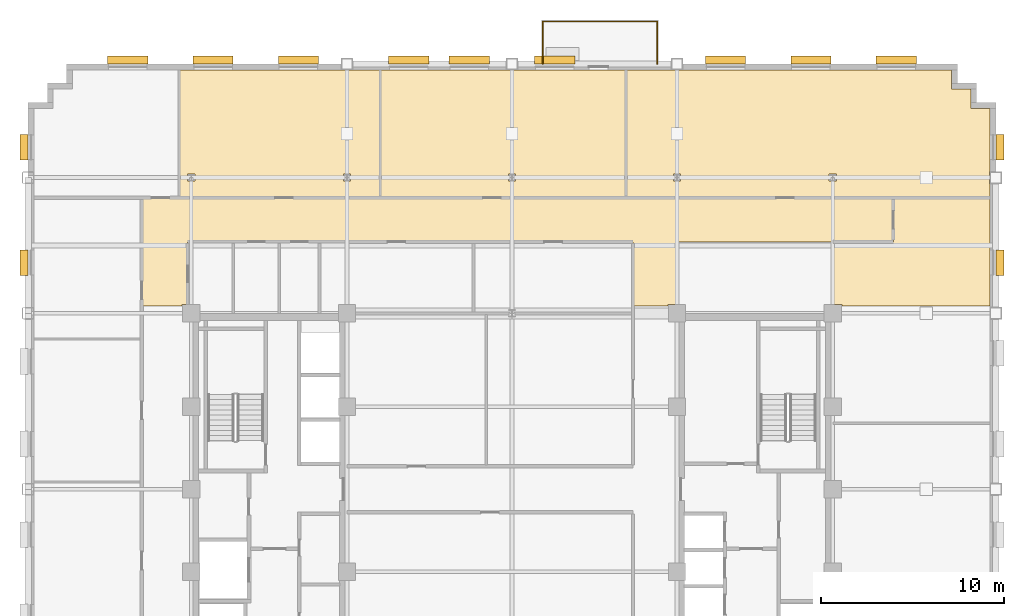
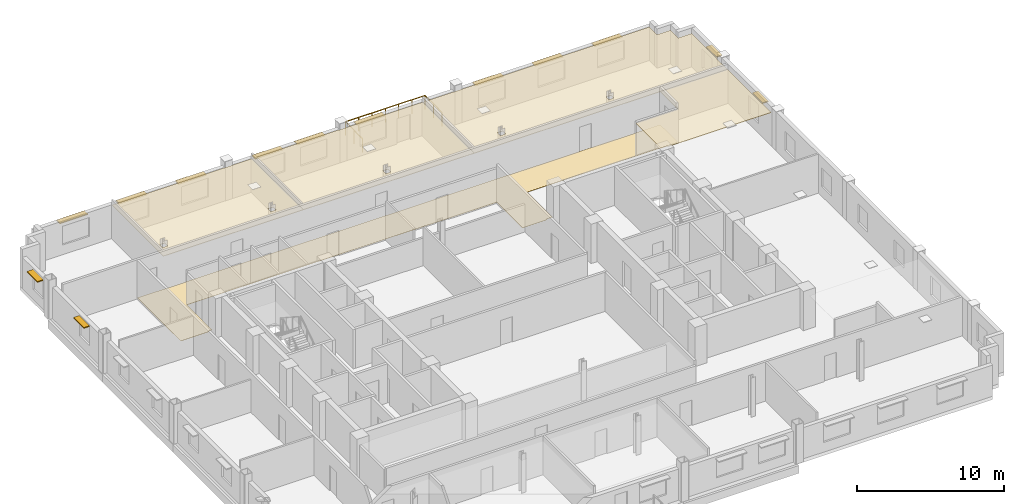
# One storey, part 14 of 14: 13 shading devices, 5 coverings, 1 railing.
"""IFC4 building model written with IfcOpenShell, lengths in metres."""

import ifcopenshell
import ifcopenshell.guid

model = None  # the IFC model being written
_history = None  # IfcOwnerHistory: only IFC2X3 demands one
_inside = {}  # id of a spatial element -> (the spatial element, [elements in it])
_under = {}  # id of a project, library or spatial element -> (it, [spatial elements below it])
_declared = {}  # id of a project -> (the project, [libraries it declares])
_typed = {}  # id of a type object -> (the type object, [elements of that type])
_made_of = {}  # id of a material, layer set ... -> (it, [elements and type objects made of it])


def new_model(schema):
    """Start an empty IFC model of exactly this schema.

    Asked for "IFC4X3", IfcOpenShell would pick the latest addendum, in which some entities
    have other attributes; the version numbers below select the first issue.
    IFC2X3 requires an IfcOwnerHistory on every rooted entity: one is made here for all.
    """
    global model, _history
    if schema == "IFC4X3":
        model = ifcopenshell.file(schema_version=(4, 3, 0, 0))
    else:
        model = ifcopenshell.file(schema=schema)
    _inside.clear()
    _under.clear()
    _declared.clear()
    _typed.clear()
    _made_of.clear()
    _history = None
    if model.schema == "IFC2X3":
        org = make("IfcOrganization", Name="unknown")
        user = make(
            "IfcPersonAndOrganization",
            ThePerson=make("IfcPerson", FamilyName="unknown"),
            TheOrganization=org,
        )
        app = make(
            "IfcApplication",
            ApplicationDeveloper=org,
            Version="unknown",
            ApplicationFullName="unknown",
            ApplicationIdentifier="unknown",
        )
        _history = make(
            "IfcOwnerHistory",
            OwningUser=user,
            OwningApplication=app,
            ChangeAction="ADDED",
            CreationDate=0,
        )
    return model


def make(cls, **values):
    """One entity of the class cls with the attributes given. An attribute that is None is left unset."""
    return model.create_entity(
        cls, **{name: value for name, value in values.items() if value is not None}
    )


def rooted(cls, **values):
    """An entity with a GlobalId (a new one), such as an element, a storey or a relation."""
    return make(cls, GlobalId=ifcopenshell.guid.new(), OwnerHistory=_history, **values)


def si_unit(unit_type, name, prefix=None):
    """IfcSIUnit, for example si_unit("LENGTHUNIT", "METRE", prefix="MILLI")."""
    return make("IfcSIUnit", UnitType=unit_type, Prefix=prefix, Name=name)


def assignment(units):
    """IfcUnitAssignment: the units of a project."""
    return None if units is None else make("IfcUnitAssignment", Units=units)


def point(xyz):
    """IfcCartesianPoint."""
    return None if xyz is None else make("IfcCartesianPoint", Coordinates=xyz)


def direction(xyz):
    """IfcDirection."""
    return None if xyz is None else make("IfcDirection", DirectionRatios=xyz)


def frame(location, z_axis=None, x_axis=None):
    """IfcAxis2Placement3D, a coordinate frame: its origin and axes. An axis left out is left unset."""
    return make(
        "IfcAxis2Placement3D",
        Location=point(location),
        Axis=direction(z_axis),
        RefDirection=direction(x_axis),
    )


def frame_2d(location, x_axis=None):
    """IfcAxis2Placement2D, a coordinate frame in the plane: its origin and x axis."""
    return make(
        "IfcAxis2Placement2D", Location=point(location), RefDirection=direction(x_axis)
    )


def origin():
    """The frame at (0, 0, 0) with its axes left unset."""
    return frame((0.0, 0.0, 0.0))


def origin_2d():
    """The frame at (0, 0) in the plane with its x axis left unset."""
    return frame_2d((0.0, 0.0))


def place(relative_to, where):
    """IfcLocalPlacement: puts the frame where relative to a parent placement (None: the world)."""
    return make(
        "IfcLocalPlacement", PlacementRelTo=relative_to, RelativePlacement=where
    )


def context(
    kind, dimensions, precision=None, world=None, true_north=None, identifier=None
):
    """IfcGeometricRepresentationContext, for example the 3D "Model" context."""
    return make(
        "IfcGeometricRepresentationContext",
        ContextIdentifier=identifier,
        ContextType=kind,
        CoordinateSpaceDimension=dimensions,
        Precision=precision,
        WorldCoordinateSystem=world,
        TrueNorth=true_north,
    )


def subcontext(parent, identifier, kind, view, scale=None):
    """IfcGeometricRepresentationSubContext, for example "Body" below "Model"."""
    return make(
        "IfcGeometricRepresentationSubContext",
        ContextIdentifier=identifier,
        ContextType=kind,
        ParentContext=parent,
        TargetScale=scale,
        TargetView=view,
    )


def project(units=None, contexts=None):
    """IfcProject with its units and contexts."""
    return rooted(
        "IfcProject",
        Name="project",
        RepresentationContexts=contexts,
        UnitsInContext=assignment(units),
    )


def spatial(cls, under=None, at=None, **own):
    """A site, building, storey or space (cls), placed at a placement, below another one or the project."""
    s = rooted(cls, ObjectPlacement=at, **own)
    if under is not None:
        _under.setdefault(under.id(), (under, []))[1].append(s)
    return s


def polyline(points):
    """IfcPolyline through the points."""
    return make("IfcPolyline", Points=[point(p) for p in points])


def profile(cls, at=None, kind="AREA", **sizes):
    """A parametric profile (cls). Its sizes go by their IFC names, for example OverallWidth=200.0."""
    return make(cls, ProfileType=kind, Position=at, **sizes)


def rectangle(**sizes):
    """IfcRectangleProfileDef."""
    return profile("IfcRectangleProfileDef", **sizes)


def circle(**sizes):
    """IfcCircleProfileDef."""
    return profile("IfcCircleProfileDef", **sizes)


def outline(outer, holes=None, kind="AREA"):
    """IfcArbitraryClosedProfileDef: a profile drawn as a closed curve; with holes, ...WithVoids."""
    if holes is None:
        return make("IfcArbitraryClosedProfileDef", ProfileType=kind, OuterCurve=outer)
    return make(
        "IfcArbitraryProfileDefWithVoids",
        ProfileType=kind,
        OuterCurve=outer,
        InnerCurves=holes,
    )


def extrude(swept, where, along, depth):
    """IfcExtrudedAreaSolid: the profile swept, set in the frame where, extruded along a direction by depth."""
    return make(
        "IfcExtrudedAreaSolid",
        SweptArea=swept,
        Position=where,
        ExtrudedDirection=direction(along),
        Depth=depth,
    )


def shape(context_of_items, identifier, shape_type, items):
    """IfcShapeRepresentation: the items that make up one representation, for example the "Body"."""
    return make(
        "IfcShapeRepresentation",
        ContextOfItems=context_of_items,
        RepresentationIdentifier=identifier,
        RepresentationType=shape_type,
        Items=items,
    )


def source(mapping_origin, context_of_items, identifier, shape_type, items):
    """IfcRepresentationMap: a shape defined once, which mapped items show again and again."""
    return make(
        "IfcRepresentationMap",
        MappingOrigin=mapping_origin,
        MappedRepresentation=shape(context_of_items, identifier, shape_type, items),
    )


def transform(
    local_origin,
    x_axis=None,
    y_axis=None,
    z_axis=None,
    scale=None,
    scale2=None,
    scale3=None,
    uniform=True,
):
    """IfcCartesianTransformationOperator3D, or its non-uniform kind. x_axis, y_axis, z_axis: its Axis1, 2, 3."""
    if uniform:
        return make(
            "IfcCartesianTransformationOperator3D",
            Axis1=direction(x_axis),
            Axis2=direction(y_axis),
            LocalOrigin=point(local_origin),
            Scale=scale,
            Axis3=direction(z_axis),
        )
    return make(
        "IfcCartesianTransformationOperator3DnonUniform",
        Axis1=direction(x_axis),
        Axis2=direction(y_axis),
        LocalOrigin=point(local_origin),
        Scale=scale,
        Axis3=direction(z_axis),
        Scale2=scale2,
        Scale3=scale3,
    )


def mapped(mapping_source, mapping_target):
    """IfcMappedItem: shows the shape of a source again, moved by a transform."""
    return make(
        "IfcMappedItem", MappingSource=mapping_source, MappingTarget=mapping_target
    )


def material(Name=None, Category=None):
    """IfcMaterial."""
    return make("IfcMaterial", Name=Name, Category=Category)


def layer(
    of_material, thickness, ventilated=None, Name=None, Category=None, Priority=None
):
    """IfcMaterialLayer: one layer of a wall or slab, of a material (None: an air gap)."""
    return make(
        "IfcMaterialLayer",
        Material=of_material,
        LayerThickness=thickness,
        IsVentilated=ventilated,
        Name=Name,
        Category=Category,
        Priority=Priority,
    )


def layer_set(layers, Name=None):
    """IfcMaterialLayerSet."""
    return make("IfcMaterialLayerSet", MaterialLayers=layers, LayerSetName=Name)


def made_of(thing, what):
    """Note that an element or type object is made of a material, layer set ...; save() writes the relation."""
    if what is not None:
        _made_of.setdefault(what.id(), (what, []))[1].append(thing)
    return thing


def type_object(cls, material=None, **own):
    """A type object (cls), such as IfcWallType, which elements share."""
    return made_of(rooted(cls, **own), material)


def type_shapes(of_type, sources):
    """Give a type object the sources (RepresentationMaps) that its elements show as mapped items."""
    of_type.RepresentationMaps = sources


def element(
    cls,
    number,
    at=None,
    inside=None,
    cuts=None,
    type_object=None,
    material=None,
    context=None,
    identifier="Body",
    shape_type=None,
    held_by="IfcProductDefinitionShape",
    body=None,
    shapes=None,
    **own,
):
    """One element of the class cls, such as IfcWall. Its Tag is "e" and its number.

    at: its placement. inside: the storey or other place that contains it. cuts: it is an
    opening in that element (IfcRelVoidsElement). A single representation is given by context,
    identifier, shape_type and body (its items); several are given by shapes. held_by: the class
    of the entity that holds the representations. save() writes the other relations.
    """
    e = rooted(cls, Tag="e%d" % number, ObjectPlacement=at, **own)
    if body is not None:
        shapes = [shape(context, identifier, shape_type, body)]
    if shapes is not None:
        e.Representation = make(held_by, Representations=shapes)
    if inside is not None:
        _inside.setdefault(inside.id(), (inside, []))[1].append(e)
    if cuts is not None:
        rooted(
            "IfcRelVoidsElement", RelatingBuildingElement=cuts, RelatedOpeningElement=e
        )
    if type_object is not None:
        _typed.setdefault(type_object.id(), (type_object, []))[1].append(e)
    return made_of(e, material)


def aggregate(whole, parts):
    """IfcRelAggregates: a whole, such as a stair, and the parts it consists of."""
    return rooted("IfcRelAggregates", RelatingObject=whole, RelatedObjects=parts)


def save(model, path):
    """Write the relations noted so far, then the file.

    IfcRelAggregates (storeys below a building ...), IfcRelContainedInSpatialStructure (elements
    in a storey), IfcRelDefinesByType, IfcRelAssociatesMaterial and IfcRelDeclares: one each for
    every whole, place, type object, material and project.
    """
    for whole, parts in _under.values():
        aggregate(whole, parts)
    for where, things in _inside.values():
        rooted(
            "IfcRelContainedInSpatialStructure",
            RelatedElements=things,
            RelatingStructure=where,
        )
    for kind, things in _typed.values():
        rooted("IfcRelDefinesByType", RelatedObjects=things, RelatingType=kind)
    for what, things in _made_of.values():
        rooted("IfcRelAssociatesMaterial", RelatedObjects=things, RelatingMaterial=what)
    for by, libraries in _declared.values():
        rooted("IfcRelDeclares", RelatingContext=by, RelatedDefinitions=libraries)
    model.write(path)


model = new_model("IFC4")

# Units and contexts
model_context = context("Model", 3, precision=1e-05, world=origin(), true_north=direction((0.0, 1.0)))
body_context = subcontext(model_context, "Body", "Model", "MODEL_VIEW")
ifc_project = project(units=[si_unit("LENGTHUNIT", "METRE"), si_unit("AREAUNIT", "SQUARE_METRE"), si_unit("VOLUMEUNIT", "CUBIC_METRE"), si_unit("PLANEANGLEUNIT", "RADIAN"), si_unit("MASSUNIT", "GRAM", prefix="KILO")], contexts=[model_context])

# Site, building, storey
site_placement = place(None, origin())
site = spatial("IfcSite", under=ifc_project, at=site_placement, CompositionType="ELEMENT")
building_placement = place(site_placement, origin())
building = spatial("IfcBuilding", under=site, at=building_placement, Name="Nuvemarco Arch Tower", CompositionType="ELEMENT")
storey_placement = place(building_placement, frame((0.0, 0.0, 164.0)))
storey = spatial("IfcBuildingStorey", under=building, at=storey_placement, Name="L43", CompositionType="ELEMENT", Elevation=164.0)

# Coverings
ifc_material_1 = material(Name="Mineral acoustic ceiling tile")
ifc_layer_1 = layer(ifc_material_1, 0.0400390625, Name="COV-ACOUSTIC-CLG")
ifc_layer_set_1 = layer_set([ifc_layer_1], Name="Mineral acoustic ceiling tile")
covering_type_1 = type_object("IfcCoveringType", Name="COV-ACOUSTIC-CLG", PredefinedType="CEILING", material=ifc_layer_set_1)
covering_1_placement = place(storey_placement, frame((0.0, 0.0, 2.72998046875)))
element("IfcCovering", 1, at=covering_1_placement, inside=storey, type_object=covering_type_1, Name="L43 suspended acoustic ceiling 2", PredefinedType="CEILING", context=body_context, shape_type="SweptSolid", body=[
    extrude(outline(polyline([(26.080078125, 20.780029296875), (26.080078125, 17.340087890625), (26.06005859375, 17.340087890625), (26.06005859375, 16.659912109375), (26.080078125, 16.659912109375), (26.080078125, 15.89990234375), (20.800048828125, 15.89990234375), (9.0, 15.89990234375), (6.60009765625, 15.89990234375), (6.22998046875, 15.89990234375), (6.22998046875, 22.8798828125), (8.659912109375, 22.8798828125), (8.659912109375, 22.860107421875), (9.340087890625, 22.860107421875), (9.340087890625, 22.8798828125), (23.97998046875, 22.8798828125), (23.97998046875, 21.830078125), (25.030029296875, 21.830078125), (25.030029296875, 20.780029296875), (26.080078125, 20.780029296875)]), holes=[polyline([(9.195068359375, 17.195068359375), (8.804931640625, 17.195068359375), (8.804931640625, 16.804931640625), (9.195068359375, 16.804931640625), (9.195068359375, 17.195068359375)]), polyline([(17.695068359375, 16.804931640625), (17.695068359375, 17.195068359375), (17.304931640625, 17.195068359375), (17.304931640625, 16.804931640625), (17.695068359375, 16.804931640625)])]), origin(), (0.0, 0.0, 1.0), 0.0400390625),
])
covering_2_placement = place(storey_placement, frame((0.0, 0.0, 2.72998046875)))
element("IfcCovering", 2, at=covering_2_placement, inside=storey, type_object=covering_type_1, Name="L43 suspended acoustic ceiling 3", PredefinedType="CEILING", context=body_context, shape_type="SweptSolid", body=[
    extrude(outline(polyline([(17.989990234375, 10.090087890625), (17.5, 10.090087890625), (17.5, 13.5), (20.800048828125, 13.5), (20.800048828125, 15.89990234375), (26.080078125, 15.89990234375), (26.080078125, 10.0), (17.989990234375, 10.0), (17.989990234375, 10.090087890625)])), origin(), (0.0, 0.0, 1.0), 0.0400390625),
])
covering_3_placement = place(storey_placement, frame((0.0, 0.0, 2.72998046875)))
element("IfcCovering", 3, at=covering_3_placement, inside=storey, type_object=covering_type_1, Name="L43 suspended acoustic ceiling 5", PredefinedType="CEILING", context=body_context, shape_type="SweptSolid", body=[
    extrude(outline(polyline([(6.22998046875, 15.89990234375), (-7.179931640625, 15.89990234375), (-7.179931640625, 22.8798828125), (-0.340087890625, 22.8798828125), (-0.340087890625, 22.860107421875), (0.340087890625, 22.860107421875), (0.340087890625, 22.8798828125), (6.22998046875, 22.8798828125), (6.22998046875, 15.89990234375)]), holes=[polyline([(0.195068359375, 16.804931640625), (0.195068359375, 17.195068359375), (-0.195068359375, 17.195068359375), (-0.195068359375, 16.804931640625), (0.195068359375, 16.804931640625)])]), origin(), (0.0, 0.0, 1.0), 0.0400390625),
])
covering_4_placement = place(storey_placement, frame((0.0, 0.0, 2.72998046875)))
element("IfcCovering", 4, at=covering_4_placement, inside=storey, type_object=covering_type_1, Name="L43 suspended acoustic ceiling 6", PredefinedType="CEILING", context=body_context, shape_type="SweptSolid", body=[
    extrude(outline(polyline([(-9.340087890625, 22.860107421875), (-8.659912109375, 22.860107421875), (-8.659912109375, 22.8798828125), (-7.179931640625, 22.8798828125), (-7.179931640625, 15.89990234375), (-17.699951171875, 15.89990234375), (-18.14990234375, 15.89990234375), (-18.14990234375, 22.8798828125), (-9.340087890625, 22.8798828125), (-9.340087890625, 22.860107421875)]), holes=[polyline([(-17.304931640625, 16.804931640625), (-17.304931640625, 17.195068359375), (-17.695068359375, 17.195068359375), (-17.695068359375, 16.804931640625), (-17.304931640625, 16.804931640625)]), polyline([(-8.804931640625, 16.804931640625), (-8.804931640625, 17.195068359375), (-9.195068359375, 17.195068359375), (-9.195068359375, 16.804931640625), (-8.804931640625, 16.804931640625)])]), origin(), (0.0, 0.0, 1.0), 0.0400390625),
])
ifc_material_2 = material(Name="Polished granite terrazzostone flooring", Category="masonry")
ifc_layer_2 = layer(ifc_material_2, 0.02001953125, Name="COV-LOBBY-FLR")
ifc_layer_set_2 = layer_set([ifc_layer_2], Name="Polished granite terrazzostone flooring")
covering_type_2 = type_object("IfcCoveringType", Name="COV-LOBBY-FLR", PredefinedType="FLOORING", material=ifc_layer_set_2)
covering_5_placement = place(storey_placement, origin())
element("IfcCovering", 5, at=covering_5_placement, inside=storey, type_object=covering_type_2, Name="L43 polished terrazzo lobby flooring", PredefinedType="FLOORING", context=body_context, shape_type="SweptSolid", body=[
    extrude(outline(polyline([(-20.199951171875, 13.5), (-20.199951171875, 15.89990234375), (-17.699951171875, 15.89990234375), (6.60009765625, 15.89990234375), (9.0, 15.89990234375), (20.800048828125, 15.89990234375), (20.800048828125, 13.5), (9.0, 13.5), (9.0, 10.090087890625), (8.510009765625, 10.090087890625), (8.510009765625, 10.0), (6.60009765625, 10.0), (6.60009765625, 13.5), (-17.699951171875, 13.5), (-17.699951171875, 10.090087890625), (-17.989990234375, 10.090087890625), (-17.989990234375, 10.0), (-20.199951171875, 10.0), (-20.199951171875, 13.5)])), origin(), (0.0, 0.0, 1.0), 0.02001953125),
])

# Railing
ifc_material_3 = material(Name="Dark anodised balustrade steel S355", Category="steel")
railing_type = type_object("IfcRailingType", Name="RL-TERR-GUARD", PredefinedType="BALUSTRADE", material=ifc_material_3)
railing_placement = place(storey_placement, frame((1.679931640625, 23.199951171875, 0.0)))
element("IfcRailing", 6, at=railing_placement, inside=storey, type_object=railing_type, Name="L43 spiral terrace perimeter balustrade guard", PredefinedType="BALUSTRADE", context=body_context, shape_type="SweptSolid", body=[
    extrude(circle(Radius=0.02392578125, at=origin_2d()), frame((0.0, 0.0, 1.1259765625), z_axis=(0.0, 1.0, 0.0), x_axis=(-1.0, 0.0, 0.0)), (0.0, 0.0, 1.0), 2.320068359375),
    extrude(circle(Radius=0.02392578125, at=origin_2d()), frame((0.0, 2.320068359375, 1.1259765625), z_axis=(1.0, 0.0, 0.0), x_axis=(0.0, 1.0, 0.0)), (0.0, 0.0, 1.0), 6.239990234375),
    extrude(circle(Radius=0.02392578125, at=origin_2d()), frame((6.239990234375, 2.320068359375, 1.1259765625), z_axis=(0.0, -1.0, 0.0), x_axis=(1.0, 0.0, 0.0)), (0.0, 0.0, 1.0), 2.320068359375),
    extrude(circle(Radius=0.02099609375, at=origin_2d()), origin(), (0.0, 0.0, 1.0), 1.101806640625),
    extrude(circle(Radius=0.02099609375, at=origin_2d()), frame((0.0, 1.16015625, 0.0)), (0.0, 0.0, 1.0), 1.101806640625),
    extrude(circle(Radius=0.02099609375, at=origin_2d()), frame((0.0, 2.320068359375, 0.0)), (0.0, 0.0, 1.0), 1.101806640625),
    extrude(circle(Radius=0.02099609375, at=origin_2d()), frame((1.0400390625, 2.320068359375, 0.0)), (0.0, 0.0, 1.0), 1.101806640625),
    extrude(circle(Radius=0.02099609375, at=origin_2d()), frame((2.080078125, 2.320068359375, 0.0)), (0.0, 0.0, 1.0), 1.101806640625),
    extrude(circle(Radius=0.02099609375, at=origin_2d()), frame((3.1201171875, 2.320068359375, 0.0)), (0.0, 0.0, 1.0), 1.101806640625),
    extrude(circle(Radius=0.02099609375, at=origin_2d()), frame((4.159912109375, 2.320068359375, 0.0)), (0.0, 0.0, 1.0), 1.101806640625),
    extrude(circle(Radius=0.02099609375, at=origin_2d()), frame((5.199951171875, 2.320068359375, 0.0)), (0.0, 0.0, 1.0), 1.101806640625),
    extrude(circle(Radius=0.02099609375, at=origin_2d()), frame((6.239990234375, 2.320068359375, 0.0)), (0.0, 0.0, 1.0), 1.101806640625),
    extrude(circle(Radius=0.02099609375, at=origin_2d()), frame((6.239990234375, 1.16015625, 0.0)), (0.0, 0.0, 1.0), 1.101806640625),
    extrude(circle(Radius=0.02099609375, at=origin_2d()), frame((6.239990234375, 0.0, 0.0)), (0.0, 0.0, 1.0), 1.101806640625),
])

# Shading devices
ifc_material_4 = material(Name="Anodised aluminium 6063-T6", Category="aluminium")
shading_device_type_1 = type_object("IfcShadingDeviceType", Name="SHD-BRISE-SOLEIL", PredefinedType="USERDEFINED", material=ifc_material_4)
shared_shape_1 = source(origin(), body_context, "Body", "SweptSolid", [
    extrude(rectangle(XDim=2.199951171875, YDim=0.449951171875, at=origin_2d()), origin(), (0.0, 0.0, 1.0), 0.080078125),
])
type_shapes(shading_device_type_1, [shared_shape_1])
for number, where, z_axis, x_axis, name in (
    (7, (-20.969970703125, 23.4150390625, 2.364990234375), (0.0, 0.0, 1.0), (1.0, 0.0, 0.0), "L43 horizontal brise-soleil sunshade"),
    (8, (-16.31005859375, 23.4150390625, 2.364990234375), (0.0, 0.0, 1.0), (1.0, 0.0, 0.0), "L43 horizontal brise-soleil sunshade"),
    (9, (-11.64990234375, 23.4150390625, 2.364990234375), (0.0, 0.0, 1.0), (1.0, 0.0, 0.0), "L43 horizontal brise-soleil sunshade"),
    (10, (-5.639892578125, 23.4150390625, 2.364990234375), (0.0, 0.0, 1.0), (1.0, 0.0, 0.0), "L43 horizontal brise-soleil sunshade"),
    (11, (-2.330078125, 23.4150390625, 2.364990234375), (0.0, 0.0, 1.0), (1.0, 0.0, 0.0), "L43 horizontal brise-soleil sunshade"),
    (12, (2.330078125, 23.4150390625, 2.364990234375), (0.0, 0.0, 1.0), (1.0, 0.0, 0.0), "L43 horizontal brise-soleil sunshade"),
    (13, (11.64990234375, 23.4150390625, 2.364990234375), (0.0, 0.0, 1.0), (1.0, 0.0, 0.0), "L43 horizontal brise-soleil sunshade"),
    (14, (16.31005859375, 23.4150390625, 2.364990234375), (0.0, 0.0, 1.0), (1.0, 0.0, 0.0), "L43 horizontal brise-soleil sunshade"),
    (15, (20.969970703125, 23.4150390625, 2.364990234375), (0.0, 0.0, 1.0), (1.0, 0.0, 0.0), "L43 horizontal brise-soleil sunshade"),
):
    element("IfcShadingDevice", number, at=place(storey_placement, frame(where, z_axis=z_axis, x_axis=x_axis)), inside=storey, type_object=shading_device_type_1, Name=name, ObjectType="SUNSHADE", PredefinedType="USERDEFINED", context=body_context, shape_type="MappedRepresentation", body=[
        mapped(shared_shape_1, transform((0.0, 0.0, 0.0), scale=1.0)),
    ])
shading_device_type_2 = type_object("IfcShadingDeviceType", Name="SHD-BRISE-NARROW", PredefinedType="USERDEFINED", material=ifc_material_4)
shared_shape_2 = source(origin(), body_context, "Body", "SweptSolid", [
    extrude(rectangle(XDim=1.39990234375, YDim=0.449951171875, at=origin_2d()), origin(), (0.0, 0.0, 1.0), 0.080078125),
])
type_shapes(shading_device_type_2, [shared_shape_2])
for number, where, z_axis, x_axis, name in (
    (16, (26.614990234375, 12.364990234375, 2.364990234375), (0.0, 0.0, 1.0), (0.0, 1.0, 0.0), "L43 horizontal brise-soleil sunshade"),
    (17, (26.614990234375, 18.660888671875, 2.364990234375), (0.0, 0.0, 1.0), (0.0, 1.0, 0.0), "L43 horizontal brise-soleil sunshade"),
    (18, (-26.614990234375, 12.364990234375, 2.364990234375), (0.0, 0.0, 1.0), (0.0, 1.0, 0.0), "L43 horizontal brise-soleil sunshade"),
    (19, (-26.614990234375, 18.660888671875, 2.364990234375), (0.0, 0.0, 1.0), (0.0, 1.0, 0.0), "L43 horizontal brise-soleil sunshade"),
):
    element("IfcShadingDevice", number, at=place(storey_placement, frame(where, z_axis=z_axis, x_axis=x_axis)), inside=storey, type_object=shading_device_type_2, Name=name, ObjectType="SUNSHADE", PredefinedType="USERDEFINED", context=body_context, shape_type="MappedRepresentation", body=[
        mapped(shared_shape_2, transform((0.0, 0.0, 0.0), scale=1.0)),
    ])

save(model, "model.ifc")
